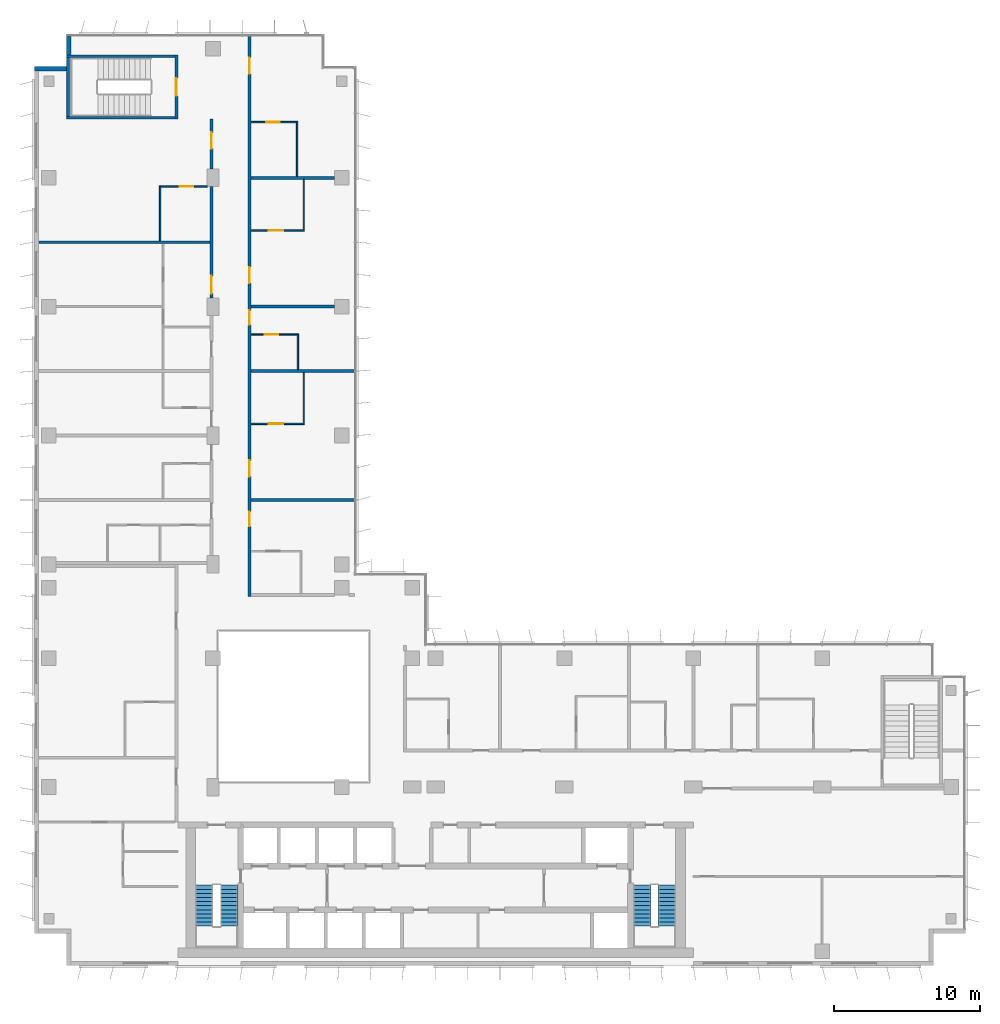
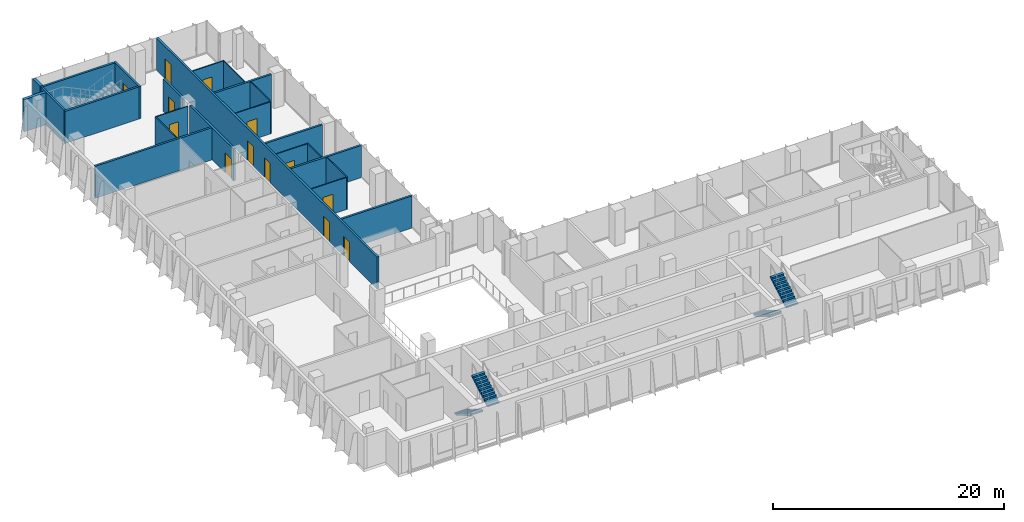
# One storey, part 17 of 21: 24 walls, 13 doors, 4 stair flights, 13 openings, 2 elements without a shape of their own.
"""IFC4 building model written with IfcOpenShell, lengths in metres."""

from ifc_helpers import new_model, si_unit, direction, frame, frame_2d, origin, place, context, subcontext, project, spatial, polyline, rectangle, outline, extrude, material, layer, layer_set, type_object, element, fill, aggregate, save


model = new_model("IFC4")

# Units and contexts
model_context = context("Model", 3, precision=1e-05, world=origin(), true_north=direction((0.0, 1.0)))
body_context = subcontext(model_context, "Body", "Model", "MODEL_VIEW")
ifc_project = project(units=[si_unit("LENGTHUNIT", "METRE"), si_unit("AREAUNIT", "SQUARE_METRE"), si_unit("VOLUMEUNIT", "CUBIC_METRE"), si_unit("PLANEANGLEUNIT", "RADIAN"), si_unit("MASSUNIT", "GRAM", prefix="KILO")], contexts=[model_context])

# Site, building, storey
site_placement = place(None, origin())
site = spatial("IfcSite", under=ifc_project, at=site_placement, CompositionType="ELEMENT")
building_placement = place(site_placement, origin())
building = spatial("IfcBuilding", under=site, at=building_placement, Name="Kemantara Hotel Tower", CompositionType="ELEMENT")
storey_placement = place(building_placement, frame((0.0, 0.0, 175.300048828125)))
storey = spatial("IfcBuildingStorey", under=building, at=storey_placement, Name="L43", CompositionType="ELEMENT", Elevation=175.300048828125)

# Walls
ifc_material_1 = material(Name="Bronze anodised aluminium cladding on insulated steel stud wall", Category="steel")
ifc_layer_1 = layer(ifc_material_1, 0.300048828125)
ifc_layer_set_1 = layer_set([ifc_layer_1], Name="Bronze anodised aluminium cladding on insulated steel stud wall")
wall_type_1 = type_object("IfcWallType", Name="BRONZE METAL-CLAD EXTERNAL WALL 300", PredefinedType="STANDARD", material=ifc_layer_set_1)
wall_1_placement = place(storey_placement, frame((2.35009765625, 63.449951171875, 0.0), z_axis=(0.0, 0.0, 1.0), x_axis=(0.0, -1.0, 0.0)))
element("IfcWall", 1, at=wall_1_placement, inside=storey, type_object=wall_type_1, Name="EXTERNAL WALL L43 T3-R03", PredefinedType="STANDARD", context=body_context, shape_type="SweptSolid", body=[
    extrude(rectangle(XDim=1.25, YDim=0.300048828125, at=frame_2d((0.625, 0.0))), origin(), (0.0, 0.0, 1.0), 3.39990234375),
])
wall_2_placement = place(storey_placement, frame((2.199951171875, 61.25, 0.0), z_axis=(0.0, 0.0, 1.0), x_axis=(-1.0, 0.0, 0.0)))
element("IfcWall", 2, at=wall_2_placement, inside=storey, type_object=wall_type_1, Name="EXTERNAL WALL L43 T3-R04", PredefinedType="STANDARD", context=body_context, shape_type="SweptSolid", body=[
    extrude(rectangle(XDim=2.199951171875, YDim=0.300048828125, at=frame_2d((1.10009765625, 0.0))), origin(), (0.0, 0.0, 1.0), 3.39990234375),
])

# Wall, opening, door
ifc_material_2 = material(Name="Gypsum board partition, steel studs and mineral wool, 200 mm", Category="steel")
ifc_layer_2 = layer(ifc_material_2, 0.199951171875)
ifc_layer_set_2 = layer_set([ifc_layer_2], Name="Gypsum board partition, steel studs and mineral wool, 200 mm")
wall_type_2 = type_object("IfcWallType", Name="CORRIDOR WALL 200", PredefinedType="PARTITIONING", material=ifc_layer_set_2)
wall_3_placement = place(storey_placement, frame((12.10009765625, 45.60009765625, 0.0), z_axis=(0.0, 0.0, 1.0), x_axis=(0.0, 1.0, 0.0)))
wall_3 = element("IfcWall", 3, at=wall_3_placement, inside=storey, type_object=wall_type_2, Name="CORRIDOR WALL 200 016", PredefinedType="PARTITIONING", context=body_context, shape_type="SweptSolid", body=[
    extrude(rectangle(XDim=7.599853515625, YDim=0.199951171875, at=frame_2d((3.7998046875, 0.0))), origin(), (0.0, 0.0, 1.0), 3.39990234375),
])
opening_1_placement = place(wall_3_placement, frame((0.2998046875, 0.0, 0.0)))
opening_1 = element("IfcOpeningElement", 4, at=opening_1_placement, cuts=wall_3, Name="Opening F20-028", PredefinedType="OPENING", context=body_context, shape_type="SweptSolid", body=[
    extrude(rectangle(XDim=1.199951171875, YDim=2.10009765625, at=frame_2d((0.60009765625, 1.050048828125))), frame((0.0, 0.10986328125, 0.0), z_axis=(0.0, -1.0, 0.0), x_axis=(1.0, 0.0, 0.0)), (0.0, 0.0, 1.0), 0.219970703125),
])
ifc_material_3 = material(Name="Hardwood veneer door leaf with steel frame", Category="steel")
door_type_1 = type_object("IfcDoorType", Name="GUEST ROOM DOOR 1200 X 2100 FD30S", OperationType="NOTDEFINED", PredefinedType="DOOR", material=ifc_material_3)
door_1_placement = place(opening_1_placement, origin())
door_1 = element("IfcDoor", 5, at=door_1_placement, inside=storey, type_object=door_type_1, Name="GUEST ROOM DOOR F20-028", OperationType="SINGLE_SWING_RIGHT", OverallHeight=2.10009765625, OverallWidth=1.199951171875, PredefinedType="DOOR", context=body_context, shape_type="SweptSolid", body=[
    extrude(rectangle(XDim=1.199951171875, YDim=2.10009765625, at=frame_2d((0.60009765625, 1.050048828125))), frame((0.0, 0.02490234375, 0.0), z_axis=(0.0, -1.0, 0.0), x_axis=(1.0, 0.0, 0.0)), (0.0, 0.0, 1.0), 0.050048828125),
])
fill(opening_1, door_1)

wall_4_placement = place(storey_placement, frame((12.10009765625, 54.400146484375, 0.0), z_axis=(0.0, 0.0, 1.0), x_axis=(0.0, 1.0, 0.0)))
wall_4 = element("IfcWall", 6, at=wall_4_placement, inside=storey, type_object=wall_type_2, Name="CORRIDOR WALL 200 017", PredefinedType="PARTITIONING", context=body_context, shape_type="SweptSolid", body=[
    extrude(rectangle(XDim=3.39990234375, YDim=0.199951171875, at=frame_2d((1.699951171875, 0.0))), origin(), (0.0, 0.0, 1.0), 3.39990234375),
])
opening_2_placement = place(wall_4_placement, frame((1.39990234375, 0.0, 0.0)))
opening_2 = element("IfcOpeningElement", 7, at=opening_2_placement, cuts=wall_4, Name="Opening F20-031", PredefinedType="OPENING", context=body_context, shape_type="SweptSolid", body=[
    extrude(rectangle(XDim=1.10009765625, YDim=2.10009765625, at=frame_2d((0.550048828125, 1.050048828125))), frame((0.0, 0.10986328125, 0.0), z_axis=(0.0, -1.0, 0.0), x_axis=(1.0, 0.0, 0.0)), (0.0, 0.0, 1.0), 0.219970703125),
])
door_type_2 = type_object("IfcDoorType", Name="SUITE ENTRANCE DOOR 1100 X 2100 FD30S", OperationType="NOTDEFINED", PredefinedType="DOOR", material=ifc_material_3)
door_2_placement = place(opening_2_placement, origin())
door_2 = element("IfcDoor", 8, at=door_2_placement, inside=storey, type_object=door_type_2, Name="SUITE ENTRANCE DOOR F20-031", OperationType="SINGLE_SWING_RIGHT", OverallHeight=2.10009765625, OverallWidth=1.10009765625, PredefinedType="DOOR", context=body_context, shape_type="SweptSolid", body=[
    extrude(rectangle(XDim=1.10009765625, YDim=2.10009765625, at=frame_2d((0.550048828125, 1.050048828125))), frame((0.0, 0.02490234375, 0.0), z_axis=(0.0, -1.0, 0.0), x_axis=(1.0, 0.0, 0.0)), (0.0, 0.0, 1.0), 0.050048828125),
])
fill(opening_2, door_2)

# Wall, openings, doors
wall_5_placement = place(storey_placement, frame((14.699951171875, 63.47998046875, 0.0), z_axis=(0.0, 0.0, 1.0), x_axis=(0.0, -1.0, 0.0)))
wall_5 = element("IfcWall", 9, at=wall_5_placement, inside=storey, type_object=wall_type_2, Name="CORRIDOR WALL 200 025", PredefinedType="PARTITIONING", context=body_context, shape_type="SweptSolid", body=[
    extrude(rectangle(XDim=38.280029296875, YDim=0.199951171875, at=frame_2d((19.14013671875, 0.0))), origin(), (0.0, 0.0, 1.0), 3.39990234375),
])
opening_3_placement = place(wall_5_placement, frame((32.47998046875, 0.0, 0.0)))
opening_3 = element("IfcOpeningElement", 10, at=opening_3_placement, cuts=wall_5, Name="Opening F20-033", PredefinedType="OPENING", context=body_context, shape_type="SweptSolid", body=[
    extrude(rectangle(XDim=1.0, YDim=2.10009765625, at=frame_2d((0.5, 1.050048828125))), frame((0.0, 0.10986328125, 0.0), z_axis=(0.0, -1.0, 0.0), x_axis=(1.0, 0.0, 0.0)), (0.0, 0.0, 1.0), 0.219970703125),
])
opening_4_placement = place(wall_5_placement, frame((28.97998046875, 0.0, 0.0)))
opening_4 = element("IfcOpeningElement", 11, at=opening_4_placement, cuts=wall_5, Name="Opening F20-035", PredefinedType="OPENING", context=body_context, shape_type="SweptSolid", body=[
    extrude(rectangle(XDim=1.10009765625, YDim=2.10009765625, at=frame_2d((0.550048828125, 1.050048828125))), frame((0.0, 0.10986328125, 0.0), z_axis=(0.0, -1.0, 0.0), x_axis=(1.0, 0.0, 0.0)), (0.0, 0.0, 1.0), 0.219970703125),
])
opening_5_placement = place(wall_5_placement, frame((18.72998046875, 0.0, 0.0)))
opening_5 = element("IfcOpeningElement", 12, at=opening_5_placement, cuts=wall_5, Name="Opening F20-037", PredefinedType="OPENING", context=body_context, shape_type="SweptSolid", body=[
    extrude(rectangle(XDim=1.0, YDim=2.10009765625, at=frame_2d((0.5, 1.050048828125))), frame((0.0, 0.10986328125, 0.0), z_axis=(0.0, -1.0, 0.0), x_axis=(1.0, 0.0, 0.0)), (0.0, 0.0, 1.0), 0.219970703125),
])
opening_6_placement = place(wall_5_placement, frame((15.77978515625, 0.0, 0.0)))
opening_6 = element("IfcOpeningElement", 13, at=opening_6_placement, cuts=wall_5, Name="Opening F20-039", PredefinedType="OPENING", context=body_context, shape_type="SweptSolid", body=[
    extrude(rectangle(XDim=1.10009765625, YDim=2.10009765625, at=frame_2d((0.550048828125, 1.050048828125))), frame((0.0, 0.10986328125, 0.0), z_axis=(0.0, -1.0, 0.0), x_axis=(1.0, 0.0, 0.0)), (0.0, 0.0, 1.0), 0.219970703125),
])
opening_7_placement = place(wall_5_placement, frame((1.47998046875, 0.0, 0.0)))
opening_7 = element("IfcOpeningElement", 14, at=opening_7_placement, cuts=wall_5, Name="Opening F20-041", PredefinedType="OPENING", context=body_context, shape_type="SweptSolid", body=[
    extrude(rectangle(XDim=1.10009765625, YDim=2.10009765625, at=frame_2d((0.550048828125, 1.050048828125))), frame((0.0, 0.10986328125, 0.0), z_axis=(0.0, -1.0, 0.0), x_axis=(1.0, 0.0, 0.0)), (0.0, 0.0, 1.0), 0.219970703125),
])
door_type_3 = type_object("IfcDoorType", Name="GUEST ROOM DOOR 1000 X 2100 FD30S", OperationType="NOTDEFINED", PredefinedType="DOOR", material=ifc_material_3)
door_3_placement = place(opening_3_placement, origin())
door_3 = element("IfcDoor", 15, at=door_3_placement, inside=storey, type_object=door_type_3, Name="GUEST ROOM DOOR F20-033", OperationType="SINGLE_SWING_LEFT", OverallHeight=2.10009765625, OverallWidth=1.0, PredefinedType="DOOR", context=body_context, shape_type="SweptSolid", body=[
    extrude(rectangle(XDim=1.0, YDim=2.10009765625, at=frame_2d((0.5, 1.050048828125))), frame((0.0, 0.02490234375, 0.0), z_axis=(0.0, -1.0, 0.0), x_axis=(1.0, 0.0, 0.0)), (0.0, 0.0, 1.0), 0.050048828125),
])
fill(opening_3, door_3)
door_4_placement = place(opening_5_placement, origin())
door_4 = element("IfcDoor", 16, at=door_4_placement, inside=storey, type_object=door_type_3, Name="GUEST ROOM DOOR F20-037", OperationType="SINGLE_SWING_LEFT", OverallHeight=2.10009765625, OverallWidth=1.0, PredefinedType="DOOR", context=body_context, shape_type="SweptSolid", body=[
    extrude(rectangle(XDim=1.0, YDim=2.10009765625, at=frame_2d((0.5, 1.050048828125))), frame((0.0, 0.02490234375, 0.0), z_axis=(0.0, -1.0, 0.0), x_axis=(1.0, 0.0, 0.0)), (0.0, 0.0, 1.0), 0.050048828125),
])
fill(opening_5, door_4)
door_type_4 = type_object("IfcDoorType", Name="GUEST ROOM DOOR 1100 X 2100 FD30S", OperationType="NOTDEFINED", PredefinedType="DOOR", material=ifc_material_3)
door_5_placement = place(opening_4_placement, origin())
door_5 = element("IfcDoor", 17, at=door_5_placement, inside=storey, type_object=door_type_4, Name="GUEST ROOM DOOR F20-035", OperationType="SINGLE_SWING_RIGHT", OverallHeight=2.10009765625, OverallWidth=1.10009765625, PredefinedType="DOOR", context=body_context, shape_type="SweptSolid", body=[
    extrude(rectangle(XDim=1.10009765625, YDim=2.10009765625, at=frame_2d((0.550048828125, 1.050048828125))), frame((0.0, 0.02490234375, 0.0), z_axis=(0.0, -1.0, 0.0), x_axis=(1.0, 0.0, 0.0)), (0.0, 0.0, 1.0), 0.050048828125),
])
fill(opening_4, door_5)
door_6_placement = place(opening_6_placement, origin())
door_6 = element("IfcDoor", 18, at=door_6_placement, inside=storey, type_object=door_type_4, Name="GUEST ROOM DOOR F20-039", OperationType="SINGLE_SWING_RIGHT", OverallHeight=2.10009765625, OverallWidth=1.10009765625, PredefinedType="DOOR", context=body_context, shape_type="SweptSolid", body=[
    extrude(rectangle(XDim=1.10009765625, YDim=2.10009765625, at=frame_2d((0.550048828125, 1.050048828125))), frame((0.0, 0.02490234375, 0.0), z_axis=(0.0, -1.0, 0.0), x_axis=(1.0, 0.0, 0.0)), (0.0, 0.0, 1.0), 0.050048828125),
])
fill(opening_6, door_6)
door_7_placement = place(opening_7_placement, origin())
door_7 = element("IfcDoor", 19, at=door_7_placement, inside=storey, type_object=door_type_2, Name="SUITE ENTRANCE DOOR F20-041", OperationType="SINGLE_SWING_LEFT", OverallHeight=2.10009765625, OverallWidth=1.10009765625, PredefinedType="DOOR", context=body_context, shape_type="SweptSolid", body=[
    extrude(rectangle(XDim=1.10009765625, YDim=2.10009765625, at=frame_2d((0.550048828125, 1.050048828125))), frame((0.0, 0.02490234375, 0.0), z_axis=(0.0, -1.0, 0.0), x_axis=(1.0, 0.0, 0.0)), (0.0, 0.0, 1.0), 0.050048828125),
])
fill(opening_7, door_7)

# Wall, opening, door
ifc_material_4 = material(Name="Concrete fc 40 MPa", Category="concrete")
ifc_layer_3 = layer(ifc_material_4, 0.199951171875)
ifc_layer_set_3 = layer_set([ifc_layer_3], Name="Concrete fc 40 MPa")
wall_type_3 = type_object("IfcWallType", Name="Concrete stair wall 200 mm", PredefinedType="SHEAR", material=ifc_layer_set_3)
wall_6_placement = place(storey_placement, frame((9.699951171875, 57.800048828125, 0.0), z_axis=(0.0, 0.0, 1.0), x_axis=(0.0, 1.0, 0.0)))
wall_6 = element("IfcWall", 20, at=wall_6_placement, inside=storey, type_object=wall_type_3, Name="Stair ST4 enclosure wall with door", PredefinedType="SHEAR", context=body_context, shape_type="SweptSolid", body=[
    extrude(rectangle(XDim=4.39990234375, YDim=0.199951171875, at=frame_2d((2.199951171875, 0.0))), origin(), (0.0, 0.0, 1.0), 3.39990234375),
])
opening_8_placement = place(wall_6_placement, frame((1.60009765625, 0.0, 0.0)))
opening_8 = element("IfcOpeningElement", 21, at=opening_8_placement, cuts=wall_6, Name="Opening ST4-C", PredefinedType="OPENING", context=body_context, shape_type="SweptSolid", body=[
    extrude(rectangle(XDim=1.199951171875, YDim=2.10009765625, at=frame_2d((0.60009765625, 1.050048828125))), frame((0.0, 0.10986328125, 0.0), z_axis=(0.0, -1.0, 0.0), x_axis=(1.0, 0.0, 0.0)), (0.0, 0.0, 1.0), 0.219970703125),
])
ifc_material_5 = material(Name="Steel fire door", Category="steel")
door_type_5 = type_object("IfcDoorType", Name="Fire door FD90 1200 x 2100", OperationType="NOTDEFINED", PredefinedType="DOOR", material=ifc_material_5)
door_8_placement = place(opening_8_placement, origin())
door_8 = element("IfcDoor", 22, at=door_8_placement, inside=storey, type_object=door_type_5, Name="Stair ST4 door", OperationType="SINGLE_SWING_RIGHT", OverallHeight=2.10009765625, OverallWidth=1.199951171875, PredefinedType="DOOR", context=body_context, shape_type="SweptSolid", body=[
    extrude(rectangle(XDim=1.199951171875, YDim=2.10009765625, at=frame_2d((0.60009765625, 1.050048828125))), frame((0.0, 0.02490234375, 0.0), z_axis=(0.0, -1.0, 0.0), x_axis=(1.0, 0.0, 0.0)), (0.0, 0.0, 1.0), 0.050048828125),
])
fill(opening_8, door_8)

# Walls
for number, where, z_axis, x_axis, name in (
    (23, (2.199951171875, 62.10009765625, 0.0), (0.0, 0.0, 1.0), (1.0, 0.0, 0.0), "Stair ST4 enclosure wall N"),
    (24, (2.199951171875, 57.89990234375, 0.0), (0.0, 0.0, 1.0), (1.0, 0.0, 0.0), "Stair ST4 enclosure wall S"),
):
    element("IfcWall", number, at=place(storey_placement, frame(where, z_axis=z_axis, x_axis=x_axis)), inside=storey, type_object=wall_type_3, Name=name, PredefinedType="SHEAR", context=body_context, shape_type="SweptSolid", body=[
        extrude(rectangle(XDim=7.400146484375, YDim=0.199951171875, at=frame_2d((3.7001953125, 0.0))), origin(), (0.0, 0.0, 1.0), 3.39990234375),
    ])
wall_7_placement = place(storey_placement, frame((2.300048828125, 58.0, 0.0), z_axis=(0.0, 0.0, 1.0), x_axis=(0.0, 1.0, 0.0)))
element("IfcWall", 25, at=wall_7_placement, inside=storey, type_object=wall_type_3, Name="Stair ST4 enclosure wall W", PredefinedType="SHEAR", context=body_context, shape_type="SweptSolid", body=[
    extrude(rectangle(XDim=4.0, YDim=0.199951171875, at=frame_2d((2.0, 0.0))), origin(), (0.0, 0.0, 1.0), 3.39990234375),
])
ifc_layer_4 = layer(ifc_material_2, 0.199951171875)
ifc_layer_set_4 = layer_set([ifc_layer_4], Name="Gypsum board partition, steel studs and mineral wool, 200 mm")
wall_type_4 = type_object("IfcWallType", Name="GUEST ROOM PARTY WALL 200", PredefinedType="PARTITIONING", material=ifc_layer_set_4)
for number, where, z_axis, x_axis, name in (
    (26, (14.800048828125, 31.800048828125, 0.0), (0.0, 0.0, 1.0), (1.0, 0.0, 0.0), "GUEST ROOM PARTY WALL 200 020"),
    (27, (14.800048828125, 40.60009765625, 0.0), (0.0, 0.0, 1.0), (1.0, 0.0, 0.0), "GUEST ROOM PARTY WALL 200 023"),
):
    element("IfcWall", number, at=place(storey_placement, frame(where, z_axis=z_axis, x_axis=x_axis)), inside=storey, type_object=wall_type_4, Name=name, PredefinedType="PARTITIONING", context=body_context, shape_type="SweptSolid", body=[
        extrude(rectangle(XDim=7.070068359375, YDim=0.199951171875, at=frame_2d((3.53515625, 0.0))), origin(), (0.0, 0.0, 1.0), 3.39990234375),
    ])
wall_8_placement = place(storey_placement, frame((0.31005859375, 49.39990234375, 0.0), z_axis=(0.0, 0.0, 1.0), x_axis=(1.0, 0.0, 0.0)))
element("IfcWall", 28, at=wall_8_placement, inside=storey, type_object=wall_type_4, Name="GUEST ROOM PARTY WALL 200 024", PredefinedType="PARTITIONING", context=body_context, shape_type="SweptSolid", body=[
    extrude(rectangle(XDim=11.68994140625, YDim=0.199951171875, at=frame_2d((5.844970703125, 0.0))), origin(), (0.0, 0.0, 1.0), 3.39990234375),
])
for number, where, z_axis, x_axis, name in (
    (29, (14.800048828125, 45.0, 0.0), (0.0, 0.0, 1.0), (1.0, 0.0, 0.0), "GUEST ROOM PARTY WALL 200 028"),
    (30, (14.800048828125, 53.800048828125, 0.0), (0.0, 0.0, 1.0), (1.0, 0.0, 0.0), "GUEST ROOM PARTY WALL 200 029"),
):
    element("IfcWall", number, at=place(storey_placement, frame(where, z_axis=z_axis, x_axis=x_axis)), inside=storey, type_object=wall_type_4, Name=name, PredefinedType="PARTITIONING", context=body_context, shape_type="SweptSolid", body=[
        extrude(rectangle(XDim=5.699951171875, YDim=0.199951171875, at=frame_2d((2.85009765625, 0.0))), origin(), (0.0, 0.0, 1.0), 3.39990234375),
    ])
ifc_material_6 = material(Name="Gypsum board partition on steel studs, 100 mm", Category="steel")
ifc_layer_5 = layer(ifc_material_6, 0.10009765625)
ifc_layer_set_5 = layer_set([ifc_layer_5], Name="Gypsum board partition on steel studs, 100 mm")
wall_type_5 = type_object("IfcWallType", Name="ROOM PARTITION 100", PredefinedType="PARTITIONING", material=ifc_layer_set_5)
wall_9_placement = place(storey_placement, frame((8.60009765625, 49.5, 0.0), z_axis=(0.0, 0.0, 1.0), x_axis=(0.0, 1.0, 0.0)))
element("IfcWall", 31, at=wall_9_placement, inside=storey, type_object=wall_type_5, Name="ROOM PARTITION 100 050", PredefinedType="PARTITIONING", context=body_context, shape_type="SweptSolid", body=[
    extrude(rectangle(XDim=3.75, YDim=0.10009765625, at=frame_2d((1.875, 0.0))), origin(), (0.0, 0.0, 1.0), 3.39990234375),
])

# Wall, opening, door
wall_10_placement = place(storey_placement, frame((11.7998046875, 53.199951171875, 0.0), z_axis=(0.0, 0.0, 1.0), x_axis=(-1.0, 0.0, 0.0)))
wall_10 = element("IfcWall", 32, at=wall_10_placement, inside=storey, type_object=wall_type_5, Name="ROOM PARTITION 100 059", PredefinedType="PARTITIONING", context=body_context, shape_type="SweptSolid", body=[
    extrude(rectangle(XDim=3.14990234375, YDim=0.10009765625, at=frame_2d((1.574951171875, 0.0))), origin(), (0.0, 0.0, 1.0), 3.39990234375),
])
opening_9_placement = place(wall_10_placement, frame((0.949951171875, 0.0, 0.0)))
opening_9 = element("IfcOpeningElement", 33, at=opening_9_placement, cuts=wall_10, Name="Opening F20-032", PredefinedType="OPENING", context=body_context, shape_type="SweptSolid", body=[
    extrude(rectangle(XDim=0.89990234375, YDim=2.10009765625, at=frame_2d((0.449951171875, 1.050048828125))), frame((0.0, 0.06005859375, 0.0), z_axis=(0.0, -1.0, 0.0), x_axis=(1.0, 0.0, 0.0)), (0.0, 0.0, 1.0), 0.1201171875),
])
door_type_6 = type_object("IfcDoorType", Name="BATHROOM DOOR 900 X 2100", OperationType="NOTDEFINED", PredefinedType="DOOR", material=ifc_material_3)
door_9_placement = place(opening_9_placement, origin())
door_9 = element("IfcDoor", 34, at=door_9_placement, inside=storey, type_object=door_type_6, Name="BATHROOM DOOR F20-032", OperationType="SINGLE_SWING_LEFT", OverallHeight=2.10009765625, OverallWidth=0.89990234375, PredefinedType="DOOR", context=body_context, shape_type="SweptSolid", body=[
    extrude(rectangle(XDim=0.89990234375, YDim=2.10009765625, at=frame_2d((0.449951171875, 1.050048828125))), frame((0.0, 0.02490234375, 0.0), z_axis=(0.0, -1.0, 0.0), x_axis=(1.0, 0.0, 0.0)), (0.0, 0.0, 1.0), 0.050048828125),
])
fill(opening_9, door_9)

# Walls
for number, where, z_axis, x_axis, name in (
    (35, (18.39990234375, 36.949951171875, 0.0), (0.0, 0.0, 1.0), (0.0, 1.0, 0.0), "ROOM PARTITION 100 062"),
    (36, (18.39990234375, 50.14990234375, 0.0), (0.0, 0.0, 1.0), (0.0, 1.0, 0.0), "ROOM PARTITION 100 063"),
):
    element("IfcWall", number, at=place(storey_placement, frame(where, z_axis=z_axis, x_axis=x_axis)), inside=storey, type_object=wall_type_5, Name=name, PredefinedType="PARTITIONING", context=body_context, shape_type="SweptSolid", body=[
        extrude(rectangle(XDim=3.550048828125, YDim=0.10009765625, at=frame_2d((1.77490234375, 0.0))), origin(), (0.0, 0.0, 1.0), 3.39990234375),
    ])

# Wall, opening, door
wall_11_placement = place(storey_placement, frame((14.800048828125, 37.0, 0.0), z_axis=(0.0, 0.0, 1.0), x_axis=(1.0, 0.0, 0.0)))
wall_11 = element("IfcWall", 37, at=wall_11_placement, inside=storey, type_object=wall_type_5, Name="ROOM PARTITION 100 064", PredefinedType="PARTITIONING", context=body_context, shape_type="SweptSolid", body=[
    extrude(rectangle(XDim=3.550048828125, YDim=0.10009765625, at=frame_2d((1.77490234375, 0.0))), origin(), (0.0, 0.0, 1.0), 3.39990234375),
])
opening_10_placement = place(wall_11_placement, frame((1.199951171875, 0.0, 0.0)))
opening_10 = element("IfcOpeningElement", 38, at=opening_10_placement, cuts=wall_11, Name="Opening F20-036", PredefinedType="OPENING", context=body_context, shape_type="SweptSolid", body=[
    extrude(rectangle(XDim=1.0, YDim=2.10009765625, at=frame_2d((0.5, 1.050048828125))), frame((0.0, 0.06005859375, 0.0), z_axis=(0.0, -1.0, 0.0), x_axis=(1.0, 0.0, 0.0)), (0.0, 0.0, 1.0), 0.1201171875),
])
door_type_7 = type_object("IfcDoorType", Name="BATHROOM DOOR 1000 X 2100", OperationType="NOTDEFINED", PredefinedType="DOOR", material=ifc_material_3)
door_10_placement = place(opening_10_placement, origin())
door_10 = element("IfcDoor", 39, at=door_10_placement, inside=storey, type_object=door_type_7, Name="BATHROOM DOOR F20-036", OperationType="SINGLE_SWING_LEFT", OverallHeight=2.10009765625, OverallWidth=1.0, PredefinedType="DOOR", context=body_context, shape_type="SweptSolid", body=[
    extrude(rectangle(XDim=1.0, YDim=2.10009765625, at=frame_2d((0.5, 1.050048828125))), frame((0.0, 0.02490234375, 0.0), z_axis=(0.0, -1.0, 0.0), x_axis=(1.0, 0.0, 0.0)), (0.0, 0.0, 1.0), 0.050048828125),
])
fill(opening_10, door_10)

# Wall
wall_12_placement = place(storey_placement, frame((18.0, 40.699951171875, 0.0), z_axis=(0.0, 0.0, 1.0), x_axis=(0.0, 1.0, 0.0)))
element("IfcWall", 40, at=wall_12_placement, inside=storey, type_object=wall_type_5, Name="ROOM PARTITION 100 065", PredefinedType="PARTITIONING", context=body_context, shape_type="SweptSolid", body=[
    extrude(rectangle(XDim=2.449951171875, YDim=0.10009765625, at=frame_2d((1.22509765625, 0.0))), origin(), (0.0, 0.0, 1.0), 3.39990234375),
])

# Wall, opening, door
wall_13_placement = place(storey_placement, frame((17.949951171875, 43.10009765625, 0.0), z_axis=(0.0, 0.0, 1.0), x_axis=(-1.0, 0.0, 0.0)))
wall_13 = element("IfcWall", 41, at=wall_13_placement, inside=storey, type_object=wall_type_5, Name="ROOM PARTITION 100 066", PredefinedType="PARTITIONING", context=body_context, shape_type="SweptSolid", body=[
    extrude(rectangle(XDim=3.14990234375, YDim=0.10009765625, at=frame_2d((1.574951171875, 0.0))), origin(), (0.0, 0.0, 1.0), 3.39990234375),
])
opening_11_placement = place(wall_13_placement, frame((1.300048828125, 0.0, 0.0)))
opening_11 = element("IfcOpeningElement", 42, at=opening_11_placement, cuts=wall_13, Name="Opening F20-038", PredefinedType="OPENING", context=body_context, shape_type="SweptSolid", body=[
    extrude(rectangle(XDim=0.89990234375, YDim=2.10009765625, at=frame_2d((0.449951171875, 1.050048828125))), frame((0.0, 0.06005859375, 0.0), z_axis=(0.0, -1.0, 0.0), x_axis=(1.0, 0.0, 0.0)), (0.0, 0.0, 1.0), 0.1201171875),
])
door_11_placement = place(opening_11_placement, origin())
door_11 = element("IfcDoor", 43, at=door_11_placement, inside=storey, type_object=door_type_6, Name="BATHROOM DOOR F20-038", OperationType="SINGLE_SWING_RIGHT", OverallHeight=2.10009765625, OverallWidth=0.89990234375, PredefinedType="DOOR", context=body_context, shape_type="SweptSolid", body=[
    extrude(rectangle(XDim=0.89990234375, YDim=2.10009765625, at=frame_2d((0.449951171875, 1.050048828125))), frame((0.0, 0.02490234375, 0.0), z_axis=(0.0, -1.0, 0.0), x_axis=(1.0, 0.0, 0.0)), (0.0, 0.0, 1.0), 0.050048828125),
])
fill(opening_11, door_11)

wall_14_placement = place(storey_placement, frame((14.800048828125, 50.199951171875, 0.0), z_axis=(0.0, 0.0, 1.0), x_axis=(1.0, 0.0, 0.0)))
wall_14 = element("IfcWall", 44, at=wall_14_placement, inside=storey, type_object=wall_type_5, Name="ROOM PARTITION 100 067", PredefinedType="PARTITIONING", context=body_context, shape_type="SweptSolid", body=[
    extrude(rectangle(XDim=3.550048828125, YDim=0.10009765625, at=frame_2d((1.77490234375, 0.0))), origin(), (0.0, 0.0, 1.0), 3.39990234375),
])
opening_12_placement = place(wall_14_placement, frame((1.199951171875, 0.0, 0.0)))
opening_12 = element("IfcOpeningElement", 45, at=opening_12_placement, cuts=wall_14, Name="Opening F20-040", PredefinedType="OPENING", context=body_context, shape_type="SweptSolid", body=[
    extrude(rectangle(XDim=1.0, YDim=2.10009765625, at=frame_2d((0.5, 1.050048828125))), frame((0.0, 0.06005859375, 0.0), z_axis=(0.0, -1.0, 0.0), x_axis=(1.0, 0.0, 0.0)), (0.0, 0.0, 1.0), 0.1201171875),
])
door_12_placement = place(opening_12_placement, origin())
door_12 = element("IfcDoor", 46, at=door_12_placement, inside=storey, type_object=door_type_7, Name="BATHROOM DOOR F20-040", OperationType="SINGLE_SWING_LEFT", OverallHeight=2.10009765625, OverallWidth=1.0, PredefinedType="DOOR", context=body_context, shape_type="SweptSolid", body=[
    extrude(rectangle(XDim=1.0, YDim=2.10009765625, at=frame_2d((0.5, 1.050048828125))), frame((0.0, 0.02490234375, 0.0), z_axis=(0.0, -1.0, 0.0), x_axis=(1.0, 0.0, 0.0)), (0.0, 0.0, 1.0), 0.050048828125),
])
fill(opening_12, door_12)

# Wall
wall_15_placement = place(storey_placement, frame((17.949951171875, 53.89990234375, 0.0), z_axis=(0.0, 0.0, 1.0), x_axis=(0.0, 1.0, 0.0)))
element("IfcWall", 47, at=wall_15_placement, inside=storey, type_object=wall_type_5, Name="ROOM PARTITION 100 068", PredefinedType="PARTITIONING", context=body_context, shape_type="SweptSolid", body=[
    extrude(rectangle(XDim=3.75, YDim=0.10009765625, at=frame_2d((1.875, 0.0))), origin(), (0.0, 0.0, 1.0), 3.39990234375),
])

# Wall, opening, door
wall_16_placement = place(storey_placement, frame((17.89990234375, 57.60009765625, 0.0), z_axis=(0.0, 0.0, 1.0), x_axis=(-1.0, 0.0, 0.0)))
wall_16 = element("IfcWall", 48, at=wall_16_placement, inside=storey, type_object=wall_type_5, Name="ROOM PARTITION 100 069", PredefinedType="PARTITIONING", context=body_context, shape_type="SweptSolid", body=[
    extrude(rectangle(XDim=3.099853515625, YDim=0.10009765625, at=frame_2d((1.5498046875, 0.0))), origin(), (0.0, 0.0, 1.0), 3.39990234375),
])
opening_13_placement = place(wall_16_placement, frame((1.14990234375, 0.0, 0.0)))
opening_13 = element("IfcOpeningElement", 49, at=opening_13_placement, cuts=wall_16, Name="Opening F20-042", PredefinedType="OPENING", context=body_context, shape_type="SweptSolid", body=[
    extrude(rectangle(XDim=0.89990234375, YDim=2.10009765625, at=frame_2d((0.449951171875, 1.050048828125))), frame((0.0, 0.06005859375, 0.0), z_axis=(0.0, -1.0, 0.0), x_axis=(1.0, 0.0, 0.0)), (0.0, 0.0, 1.0), 0.1201171875),
])
door_13_placement = place(opening_13_placement, origin())
door_13 = element("IfcDoor", 50, at=door_13_placement, inside=storey, type_object=door_type_6, Name="BATHROOM DOOR F20-042", OperationType="SINGLE_SWING_RIGHT", OverallHeight=2.10009765625, OverallWidth=0.89990234375, PredefinedType="DOOR", context=body_context, shape_type="SweptSolid", body=[
    extrude(rectangle(XDim=0.89990234375, YDim=2.10009765625, at=frame_2d((0.449951171875, 1.050048828125))), frame((0.0, 0.02490234375, 0.0), z_axis=(0.0, -1.0, 0.0), x_axis=(1.0, 0.0, 0.0)), (0.0, 0.0, 1.0), 0.050048828125),
])
fill(opening_13, door_13)

# Stair, stair flights
stair_type = type_object("IfcStairType", Name="Stair 1200 wide 22 risers of 168 x 280 mm", PredefinedType="HALF_TURN_STAIR", material=ifc_material_4)
stair_1_placement = place(storey_placement, origin())
stair_1 = element("IfcStair", 51, at=stair_1_placement, inside=storey, type_object=stair_type, Name="L43 Exit stair ST1", PredefinedType="HALF_TURN_STAIR")
stair_flight_type = type_object("IfcStairFlightType", Name="Stair flight 1200 wide 168 x 280 mm", PredefinedType="STRAIGHT", material=ifc_material_4)
stair_flight_1_placement = place(storey_placement, frame((11.60009765625, 5.5, 0.0), z_axis=(0.0, 0.0, 1.0), x_axis=(0.0, -1.0, 0.0)))
stair_flight_1 = element("IfcStairFlight", 52, at=stair_flight_1_placement, type_object=stair_flight_type, Name="ST1 flight 1", NumberOfRisers=11, NumberOfTreads=10, PredefinedType="STRAIGHT", RiserHeight=0.168181818, TreadLength=0.28, context=body_context, shape_type="SweptSolid", body=[
    extrude(outline(polyline([(0.0, 0.0), (0.0, 0.168212890625), (0.280029296875, 0.168212890625), (0.280029296875, 0.33642578125), (0.56005859375, 0.33642578125), (0.56005859375, 0.504638671875), (0.840087890625, 0.504638671875), (0.840087890625, 0.672607421875), (1.1201171875, 0.672607421875), (1.1201171875, 0.8408203125), (1.39990234375, 0.8408203125), (1.39990234375, 1.009033203125), (1.679931640625, 1.009033203125), (1.679931640625, 1.17724609375), (1.9599609375, 1.17724609375), (1.9599609375, 1.345458984375), (2.239990234375, 1.345458984375), (2.239990234375, 1.513671875), (2.52001953125, 1.513671875), (2.52001953125, 1.681884765625), (2.800048828125, 1.681884765625), (2.800048828125, 1.85009765625), (2.800048828125, 1.5068359375), (0.291015625, 0.0), (0.0, 0.0)])), frame((0.0, 0.60009765625, 0.0), z_axis=(0.0, -1.0, 0.0), x_axis=(1.0, 0.0, 0.0)), (0.0, 0.0, 1.0), 1.199951171875),
])
stair_flight_2_placement = place(storey_placement, frame((13.300048828125, 2.699951171875, 1.849853515625), z_axis=(0.0, 0.0, 1.0), x_axis=(0.0, 1.0, 0.0)))
stair_flight_2 = element("IfcStairFlight", 53, at=stair_flight_2_placement, type_object=stair_flight_type, Name="ST1 flight 2", NumberOfRisers=11, NumberOfTreads=10, PredefinedType="STRAIGHT", RiserHeight=0.168181818, TreadLength=0.28, context=body_context, shape_type="SweptSolid", body=[
    extrude(outline(polyline([(0.0, 0.0), (0.0, 0.168212890625), (0.280029296875, 0.168212890625), (0.280029296875, 0.33642578125), (0.56005859375, 0.33642578125), (0.56005859375, 0.504638671875), (0.840087890625, 0.504638671875), (0.840087890625, 0.672607421875), (1.1201171875, 0.672607421875), (1.1201171875, 0.8408203125), (1.39990234375, 0.8408203125), (1.39990234375, 1.009033203125), (1.679931640625, 1.009033203125), (1.679931640625, 1.17724609375), (1.9599609375, 1.17724609375), (1.9599609375, 1.345458984375), (2.239990234375, 1.345458984375), (2.239990234375, 1.513671875), (2.52001953125, 1.513671875), (2.52001953125, 1.681884765625), (2.800048828125, 1.681884765625), (2.800048828125, 1.85009765625), (2.800048828125, 1.5068359375), (0.291015625, 0.0), (0.0, 0.0)])), frame((0.0, 0.60009765625, 0.0), z_axis=(0.0, -1.0, 0.0), x_axis=(1.0, 0.0, 0.0)), (0.0, 0.0, 1.0), 1.199951171875),
])
aggregate(stair_1, [stair_flight_1, stair_flight_2])

stair_2_placement = place(storey_placement, origin())
stair_2 = element("IfcStair", 54, at=stair_2_placement, inside=storey, type_object=stair_type, Name="L43 Exit stair ST2", PredefinedType="HALF_TURN_STAIR")
stair_flight_3_placement = place(storey_placement, frame((41.5, 5.5, 0.0), z_axis=(0.0, 0.0, 1.0), x_axis=(0.0, -1.0, 0.0)))
stair_flight_3 = element("IfcStairFlight", 55, at=stair_flight_3_placement, type_object=stair_flight_type, Name="ST2 flight 1", NumberOfRisers=11, NumberOfTreads=10, PredefinedType="STRAIGHT", RiserHeight=0.168181818, TreadLength=0.28, context=body_context, shape_type="SweptSolid", body=[
    extrude(outline(polyline([(0.0, 0.0), (0.0, 0.168212890625), (0.280029296875, 0.168212890625), (0.280029296875, 0.33642578125), (0.56005859375, 0.33642578125), (0.56005859375, 0.504638671875), (0.840087890625, 0.504638671875), (0.840087890625, 0.672607421875), (1.1201171875, 0.672607421875), (1.1201171875, 0.8408203125), (1.39990234375, 0.8408203125), (1.39990234375, 1.009033203125), (1.679931640625, 1.009033203125), (1.679931640625, 1.17724609375), (1.9599609375, 1.17724609375), (1.9599609375, 1.345458984375), (2.239990234375, 1.345458984375), (2.239990234375, 1.513671875), (2.52001953125, 1.513671875), (2.52001953125, 1.681884765625), (2.800048828125, 1.681884765625), (2.800048828125, 1.85009765625), (2.800048828125, 1.5068359375), (0.291015625, 0.0), (0.0, 0.0)])), frame((0.0, 0.60009765625, 0.0), z_axis=(0.0, -1.0, 0.0), x_axis=(1.0, 0.0, 0.0)), (0.0, 0.0, 1.0), 1.199951171875),
])
stair_flight_4_placement = place(storey_placement, frame((43.199951171875, 2.699951171875, 1.849853515625), z_axis=(0.0, 0.0, 1.0), x_axis=(0.0, 1.0, 0.0)))
stair_flight_4 = element("IfcStairFlight", 56, at=stair_flight_4_placement, type_object=stair_flight_type, Name="ST2 flight 2", NumberOfRisers=11, NumberOfTreads=10, PredefinedType="STRAIGHT", RiserHeight=0.168181818, TreadLength=0.28, context=body_context, shape_type="SweptSolid", body=[
    extrude(outline(polyline([(0.0, 0.0), (0.0, 0.168212890625), (0.280029296875, 0.168212890625), (0.280029296875, 0.33642578125), (0.56005859375, 0.33642578125), (0.56005859375, 0.504638671875), (0.840087890625, 0.504638671875), (0.840087890625, 0.672607421875), (1.1201171875, 0.672607421875), (1.1201171875, 0.8408203125), (1.39990234375, 0.8408203125), (1.39990234375, 1.009033203125), (1.679931640625, 1.009033203125), (1.679931640625, 1.17724609375), (1.9599609375, 1.17724609375), (1.9599609375, 1.345458984375), (2.239990234375, 1.345458984375), (2.239990234375, 1.513671875), (2.52001953125, 1.513671875), (2.52001953125, 1.681884765625), (2.800048828125, 1.681884765625), (2.800048828125, 1.85009765625), (2.800048828125, 1.5068359375), (0.291015625, 0.0), (0.0, 0.0)])), frame((0.0, 0.60009765625, 0.0), z_axis=(0.0, -1.0, 0.0), x_axis=(1.0, 0.0, 0.0)), (0.0, 0.0, 1.0), 1.199951171875),
])
aggregate(stair_2, [stair_flight_3, stair_flight_4])

save(model, "model.ifc")
